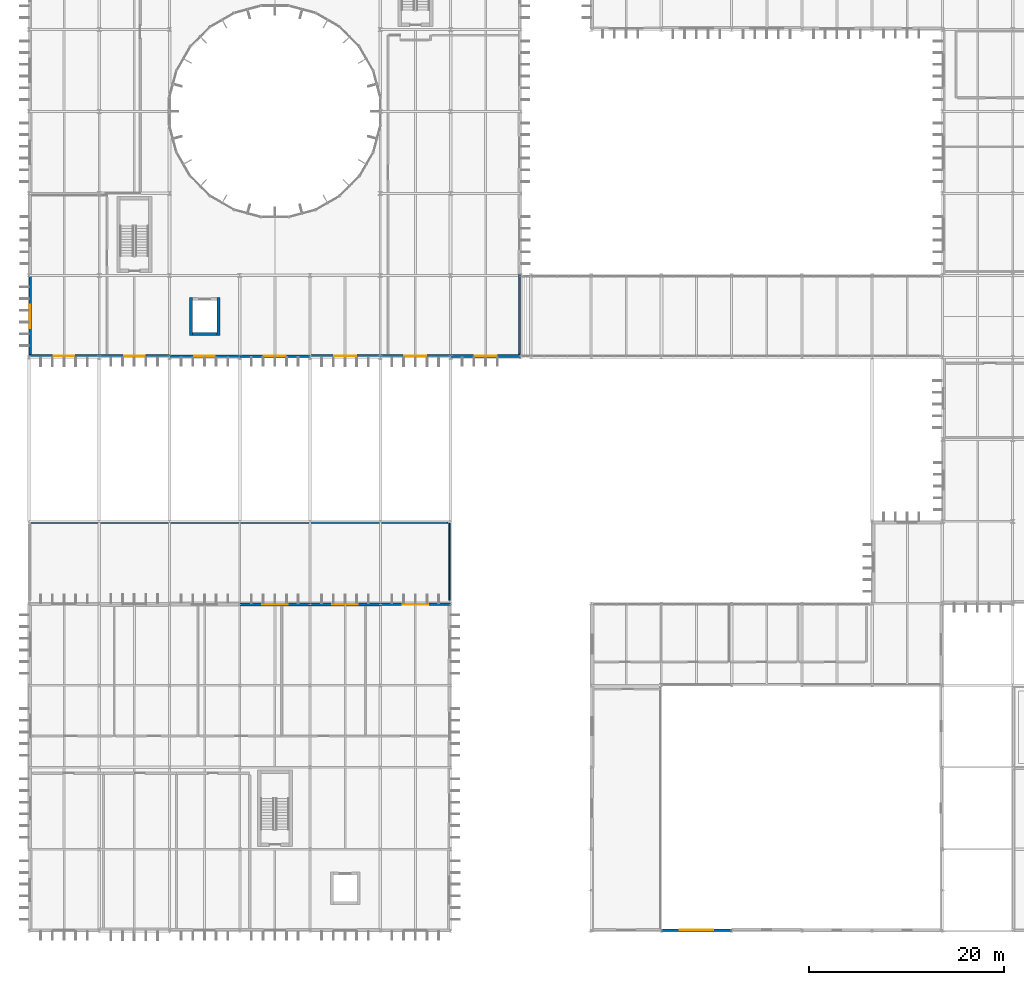
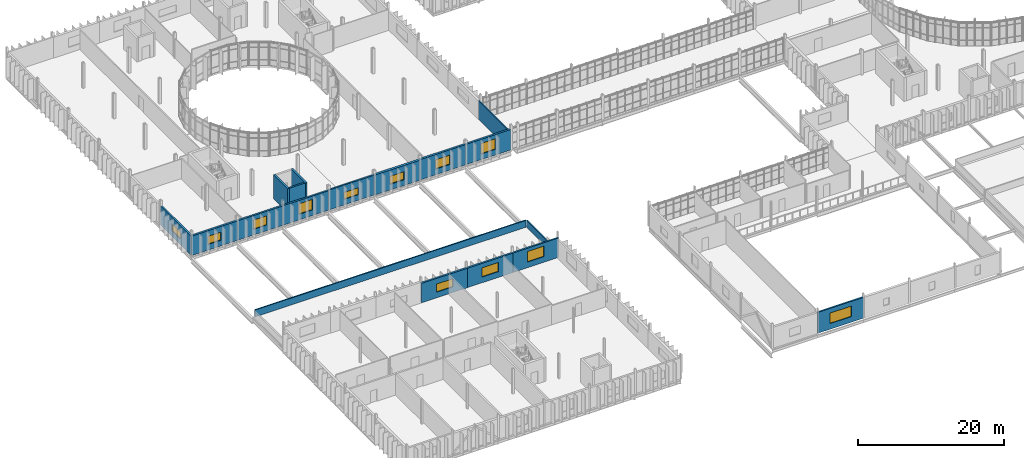
# One storey, part 93 of 119: 18 walls, 12 windows, 12 openings.
"""IFC4 building model written with IfcOpenShell, lengths in metres."""

from ifc_helpers import new_model, si_unit, direction, frame, frame_2d, origin, place, context, subcontext, project, spatial, rectangle, extrude, material, layer, layer_set, type_object, element, fill, save


model = new_model("IFC4")

# Units and contexts
model_context = context("Model", 3, precision=1e-05, world=origin(), true_north=direction((0.0, 1.0)))
body_context = subcontext(model_context, "Body", "Model", "MODEL_VIEW")
ifc_project = project(units=[si_unit("LENGTHUNIT", "METRE"), si_unit("AREAUNIT", "SQUARE_METRE"), si_unit("VOLUMEUNIT", "CUBIC_METRE"), si_unit("PLANEANGLEUNIT", "RADIAN"), si_unit("MASSUNIT", "GRAM", prefix="KILO")], contexts=[model_context])

# Site, building, storey
site_placement = place(None, origin())
site = spatial("IfcSite", under=ifc_project, at=site_placement, CompositionType="ELEMENT")
building_placement = place(site_placement, origin())
building = spatial("IfcBuilding", under=site, at=building_placement, Name="Qelthora Terrace Specialist Clinic", CompositionType="ELEMENT")
storey_placement = place(building_placement, frame((0.0, 0.0, 4.800048828125)))
storey = spatial("IfcBuildingStorey", under=building, at=storey_placement, Name="L01", CompositionType="ELEMENT", Elevation=4.800048828125)

# Walls
ifc_material_1 = material(Name="Concrete C40/50", Category="concrete")
ifc_layer_1 = layer(ifc_material_1, 0.300048828125)
ifc_layer_set_1 = layer_set([ifc_layer_1], Name="Concrete C40/50")
wall_type_1 = type_object("IfcWallType", Name="WAL-CORE-300-C40", PredefinedType="SHEAR", material=ifc_layer_set_1)
for number, where, z_axis, x_axis, name in (
    (1, (16.60009765625, 61.050048828125, 0.0), (0.0, 0.0, 1.0), (0.0, 1.0, 0.0), "Lift SL-01 L01 west shaft wall"),
    (2, (19.39990234375, 61.050048828125, 0.0), (0.0, 0.0, 1.0), (0.0, 1.0, 0.0), "Lift SL-01 L01 east shaft wall"),
):
    element("IfcWall", number, at=place(storey_placement, frame(where, z_axis=z_axis, x_axis=x_axis)), inside=storey, type_object=wall_type_1, Name=name, PredefinedType="SHEAR", context=body_context, shape_type="SweptSolid", body=[
        extrude(rectangle(XDim=3.89990234375, YDim=0.300048828125, at=frame_2d((1.949951171875, 0.0))), origin(), (0.0, 0.0, 1.0), 3.97998046875),
    ])
wall_1_placement = place(storey_placement, frame((16.75, 61.199951171875, 0.0), z_axis=(0.0, 0.0, 1.0), x_axis=(1.0, 0.0, 0.0)))
element("IfcWall", 3, at=wall_1_placement, inside=storey, type_object=wall_type_1, Name="Lift SL-01 L01 south shaft wall", PredefinedType="SHEAR", context=body_context, shape_type="SweptSolid", body=[
    extrude(rectangle(XDim=2.5, YDim=0.300048828125, at=frame_2d((1.25, 0.0))), origin(), (0.0, 0.0, 1.0), 3.97998046875),
])

# Wall, opening, window
ifc_material_2 = material(Name="Precast concrete C40/50", Category="concrete")
ifc_layer_2 = layer(ifc_material_2, 0.260009765625)
ifc_layer_set_2 = layer_set([ifc_layer_2], Name="Precast concrete C40/50")
wall_type_2 = type_object("IfcWallType", Name="WAL-EXT-260-PC40", PredefinedType="SOLIDWALL", material=ifc_layer_set_2)
wall_2_placement = place(storey_placement, frame((21.60009765625, 58.919921875, 0.0), z_axis=(0.0, 0.0, 1.0), x_axis=(1.0, 0.0, 0.0)))
wall_2 = element("IfcWall", 4, at=wall_2_placement, inside=storey, type_object=wall_type_2, Name="L01 external precast wall 124", PredefinedType="SOLIDWALL", context=body_context, shape_type="SweptSolid", body=[
    extrude(rectangle(XDim=7.199951171875, YDim=0.260009765625, at=frame_2d((3.60009765625, 0.0))), origin(), (0.0, 0.0, 1.0), 3.324951171875),
])
opening_1_placement = place(wall_2_placement, frame((2.47509765625, 0.0, 0.949951171875)))
opening_1 = element("IfcOpeningElement", 5, at=opening_1_placement, cuts=wall_2, Name="Opening WN-L01-097", PredefinedType="OPENING", context=body_context, shape_type="SweptSolid", body=[
    extrude(rectangle(XDim=2.25, YDim=1.14990234375, at=frame_2d((1.125, 0.574951171875))), frame((0.0, 0.139892578125, 0.0), z_axis=(0.0, -1.0, 0.0), x_axis=(1.0, 0.0, 0.0)), (0.0, 0.0, 1.0), 0.280029296875),
])
ifc_material_3 = material(Name="Low-E triple-silver insulating glass", Category="glass")
window_type_1 = type_object("IfcWindowType", Name="WIN-2250X1150", PartitioningType="DOUBLE_PANEL_VERTICAL", PredefinedType="WINDOW", material=ifc_material_3)
window_1_placement = place(opening_1_placement, origin())
window_1 = element("IfcWindow", 6, at=window_1_placement, inside=storey, type_object=window_type_1, Name="Clinical window WN-L01-097", OverallHeight=1.14990234375, OverallWidth=2.25, PartitioningType="SINGLE_PANEL", PredefinedType="WINDOW", context=body_context, shape_type="SweptSolid", body=[
    extrude(rectangle(XDim=2.25, YDim=1.14990234375, at=frame_2d((1.125, 0.574951171875))), frame((0.0, 0.030029296875, 0.0), z_axis=(0.0, -1.0, 0.0), x_axis=(1.0, 0.0, 0.0)), (0.0, 0.0, 1.0), 0.06005859375),
])
fill(opening_1, window_1)

wall_3_placement = place(storey_placement, frame((36.0, 33.47998046875, 0.0), z_axis=(0.0, 0.0, 1.0), x_axis=(1.0, 0.0, 0.0)))
wall_3 = element("IfcWall", 7, at=wall_3_placement, inside=storey, type_object=wall_type_2, Name="L01 external precast wall 204", PredefinedType="SOLIDWALL", context=body_context, shape_type="SweptSolid", body=[
    extrude(rectangle(XDim=7.199951171875, YDim=0.260009765625, at=frame_2d((3.60009765625, 0.0))), origin(), (0.0, 0.0, 1.0), 3.244873046875),
])
opening_2_placement = place(wall_3_placement, frame((2.300048828125, 0.0, 0.949951171875)))
opening_2 = element("IfcOpeningElement", 8, at=opening_2_placement, cuts=wall_3, Name="Opening WN-L01-172", PredefinedType="OPENING", context=body_context, shape_type="SweptSolid", body=[
    extrude(rectangle(XDim=2.60009765625, YDim=1.75, at=frame_2d((1.300048828125, 0.875))), frame((0.0, 0.139892578125, 0.0), z_axis=(0.0, -1.0, 0.0), x_axis=(1.0, 0.0, 0.0)), (0.0, 0.0, 1.0), 0.280029296875),
])
window_type_2 = type_object("IfcWindowType", Name="WIN-2600X1750", PartitioningType="DOUBLE_PANEL_VERTICAL", PredefinedType="WINDOW", material=ifc_material_3)
window_2_placement = place(opening_2_placement, origin())
window_2 = element("IfcWindow", 9, at=window_2_placement, inside=storey, type_object=window_type_2, Name="Clinical window WN-L01-172", OverallHeight=1.75, OverallWidth=2.60009765625, PartitioningType="SINGLE_PANEL", PredefinedType="WINDOW", context=body_context, shape_type="SweptSolid", body=[
    extrude(rectangle(XDim=2.60009765625, YDim=1.75, at=frame_2d((1.300048828125, 0.875))), frame((0.0, 0.030029296875, 0.0), z_axis=(0.0, -1.0, 0.0), x_axis=(1.0, 0.0, 0.0)), (0.0, 0.0, 1.0), 0.06005859375),
])
fill(opening_2, window_2)

wall_4_placement = place(storey_placement, frame((64.800048828125, 0.1201171875, 0.0), z_axis=(0.0, 0.0, 1.0), x_axis=(1.0, 0.0, 0.0)))
wall_4 = element("IfcWall", 10, at=wall_4_placement, inside=storey, type_object=wall_type_2, Name="L01 external precast wall 424", PredefinedType="SOLIDWALL", context=body_context, shape_type="SweptSolid", body=[
    extrude(rectangle(XDim=7.199951171875, YDim=0.260009765625, at=frame_2d((3.60009765625, 0.0))), origin(), (0.0, 0.0, 1.0), 3.48193359375),
])
opening_3_placement = place(wall_4_placement, frame((1.89990234375, 0.0, 0.949951171875)))
opening_3 = element("IfcOpeningElement", 11, at=opening_3_placement, cuts=wall_4, Name="Opening WN-L01-380", PredefinedType="OPENING", context=body_context, shape_type="SweptSolid", body=[
    extrude(rectangle(XDim=3.39990234375, YDim=1.75, at=frame_2d((1.699951171875, 0.875))), frame((0.0, 0.139892578125, 0.0), z_axis=(0.0, -1.0, 0.0), x_axis=(1.0, 0.0, 0.0)), (0.0, 0.0, 1.0), 0.280029296875),
])
window_type_3 = type_object("IfcWindowType", Name="WIN-3400X1750", PartitioningType="DOUBLE_PANEL_VERTICAL", PredefinedType="WINDOW", material=ifc_material_3)
window_3_placement = place(opening_3_placement, origin())
window_3 = element("IfcWindow", 12, at=window_3_placement, inside=storey, type_object=window_type_3, Name="Clinical window WN-L01-380", OverallHeight=1.75, OverallWidth=3.39990234375, PartitioningType="SINGLE_PANEL", PredefinedType="WINDOW", context=body_context, shape_type="SweptSolid", body=[
    extrude(rectangle(XDim=3.39990234375, YDim=1.75, at=frame_2d((1.699951171875, 0.875))), frame((0.0, 0.030029296875, 0.0), z_axis=(0.0, -1.0, 0.0), x_axis=(1.0, 0.0, 0.0)), (0.0, 0.0, 1.0), 0.06005859375),
])
fill(opening_3, window_3)

ifc_layer_3 = layer(ifc_material_2, 0.280029296875)
ifc_layer_set_3 = layer_set([ifc_layer_3], Name="Precast concrete C40/50")
wall_type_3 = type_object("IfcWallType", Name="WAL-EXT-280-PC40", PredefinedType="SOLIDWALL", material=ifc_layer_set_3)
wall_5_placement = place(storey_placement, frame((14.39990234375, 58.919921875, 0.0), z_axis=(0.0, 0.0, 1.0), x_axis=(1.0, 0.0, 0.0)))
wall_5 = element("IfcWall", 13, at=wall_5_placement, inside=storey, type_object=wall_type_3, Name="L01 external precast wall 123", PredefinedType="SOLIDWALL", context=body_context, shape_type="SweptSolid", body=[
    extrude(rectangle(XDim=7.2001953125, YDim=0.280029296875, at=frame_2d((3.60009765625, 0.0))), origin(), (0.0, 0.0, 1.0), 3.25390625),
])
opening_4_placement = place(wall_5_placement, frame((2.550048828125, 0.0, 0.949951171875)))
opening_4 = element("IfcOpeningElement", 14, at=opening_4_placement, cuts=wall_5, Name="Opening WN-L01-096", PredefinedType="OPENING", context=body_context, shape_type="SweptSolid", body=[
    extrude(rectangle(XDim=2.10009765625, YDim=1.75, at=frame_2d((1.050048828125, 0.875))), frame((0.0, 0.14990234375, 0.0), z_axis=(0.0, -1.0, 0.0), x_axis=(1.0, 0.0, 0.0)), (0.0, 0.0, 1.0), 0.300048828125),
])
window_type_4 = type_object("IfcWindowType", Name="WIN-2100X1750", PartitioningType="DOUBLE_PANEL_VERTICAL", PredefinedType="WINDOW", material=ifc_material_3)
window_4_placement = place(opening_4_placement, origin())
window_4 = element("IfcWindow", 15, at=window_4_placement, inside=storey, type_object=window_type_4, Name="Clinical window WN-L01-096", OverallHeight=1.75, OverallWidth=2.10009765625, PartitioningType="SINGLE_PANEL", PredefinedType="WINDOW", context=body_context, shape_type="SweptSolid", body=[
    extrude(rectangle(XDim=2.10009765625, YDim=1.75, at=frame_2d((1.050048828125, 0.875))), frame((0.0, 0.030029296875, 0.0), z_axis=(0.0, -1.0, 0.0), x_axis=(1.0, 0.0, 0.0)), (0.0, 0.0, 1.0), 0.06005859375),
])
fill(opening_4, window_4)

wall_6_placement = place(storey_placement, frame((0.1201171875, 58.800048828125, 0.0), z_axis=(0.0, 0.0, 1.0), x_axis=(0.0, 1.0, 0.0)))
wall_6 = element("IfcWall", 16, at=wall_6_placement, inside=storey, type_object=wall_type_3, Name="L01 external precast wall 128", PredefinedType="SOLIDWALL", context=body_context, shape_type="SweptSolid", body=[
    extrude(rectangle(XDim=8.39990234375, YDim=0.280029296875, at=frame_2d((4.199951171875, 0.0))), origin(), (0.0, 0.0, 1.0), 3.171875),
])
opening_5_placement = place(wall_6_placement, frame((3.0, 0.0, 0.949951171875)))
opening_5 = element("IfcOpeningElement", 17, at=opening_5_placement, cuts=wall_6, Name="Opening WN-L01-101", PredefinedType="OPENING", context=body_context, shape_type="SweptSolid", body=[
    extrude(rectangle(XDim=2.39990234375, YDim=1.14990234375, at=frame_2d((1.199951171875, 0.574951171875))), frame((0.0, 0.14990234375, 0.0), z_axis=(0.0, -1.0, 0.0), x_axis=(1.0, 0.0, 0.0)), (0.0, 0.0, 1.0), 0.300048828125),
])
window_type_5 = type_object("IfcWindowType", Name="WIN-2400X1150", PartitioningType="DOUBLE_PANEL_VERTICAL", PredefinedType="WINDOW", material=ifc_material_3)
window_5_placement = place(opening_5_placement, origin())
window_5 = element("IfcWindow", 18, at=window_5_placement, inside=storey, type_object=window_type_5, Name="Clinical window WN-L01-101", OverallHeight=1.14990234375, OverallWidth=2.39990234375, PartitioningType="SINGLE_PANEL", PredefinedType="WINDOW", context=body_context, shape_type="SweptSolid", body=[
    extrude(rectangle(XDim=2.39990234375, YDim=1.14990234375, at=frame_2d((1.199951171875, 0.574951171875))), frame((0.0, 0.030029296875, 0.0), z_axis=(0.0, -1.0, 0.0), x_axis=(1.0, 0.0, 0.0)), (0.0, 0.0, 1.0), 0.06005859375),
])
fill(opening_5, window_5)

wall_7_placement = place(storey_placement, frame((28.800048828125, 33.47998046875, 0.0), z_axis=(0.0, 0.0, 1.0), x_axis=(1.0, 0.0, 0.0)))
wall_7 = element("IfcWall", 19, at=wall_7_placement, inside=storey, type_object=wall_type_3, Name="L01 external precast wall 203", PredefinedType="SOLIDWALL", context=body_context, shape_type="SweptSolid", body=[
    extrude(rectangle(XDim=7.199951171875, YDim=0.280029296875, at=frame_2d((3.60009765625, 0.0))), origin(), (0.0, 0.0, 1.0), 3.244873046875),
])
opening_6_placement = place(wall_7_placement, frame((2.300048828125, 0.0, 0.949951171875)))
opening_6 = element("IfcOpeningElement", 20, at=opening_6_placement, cuts=wall_7, Name="Opening WN-L01-171", PredefinedType="OPENING", context=body_context, shape_type="SweptSolid", body=[
    extrude(rectangle(XDim=2.60009765625, YDim=1.550048828125, at=frame_2d((1.300048828125, 0.77490234375))), frame((0.0, 0.14990234375, 0.0), z_axis=(0.0, -1.0, 0.0), x_axis=(1.0, 0.0, 0.0)), (0.0, 0.0, 1.0), 0.300048828125),
])
window_type_6 = type_object("IfcWindowType", Name="WIN-2600X1550", PartitioningType="DOUBLE_PANEL_VERTICAL", PredefinedType="WINDOW", material=ifc_material_3)
window_6_placement = place(opening_6_placement, origin())
window_6 = element("IfcWindow", 21, at=window_6_placement, inside=storey, type_object=window_type_6, Name="Clinical window WN-L01-171", OverallHeight=1.550048828125, OverallWidth=2.60009765625, PartitioningType="SINGLE_PANEL", PredefinedType="WINDOW", context=body_context, shape_type="SweptSolid", body=[
    extrude(rectangle(XDim=2.60009765625, YDim=1.550048828125, at=frame_2d((1.300048828125, 0.77490234375))), frame((0.0, 0.030029296875, 0.0), z_axis=(0.0, -1.0, 0.0), x_axis=(1.0, 0.0, 0.0)), (0.0, 0.0, 1.0), 0.06005859375),
])
fill(opening_6, window_6)

ifc_layer_4 = layer(ifc_material_2, 0.300048828125)
ifc_layer_set_4 = layer_set([ifc_layer_4], Name="Precast concrete C40/50")
wall_type_4 = type_object("IfcWallType", Name="WAL-EXT-300-PC40", PredefinedType="SOLIDWALL", material=ifc_layer_set_4)
wall_8_placement = place(storey_placement, frame((7.199951171875, 58.919921875, 0.0), z_axis=(0.0, 0.0, 1.0), x_axis=(1.0, 0.0, 0.0)))
wall_8 = element("IfcWall", 22, at=wall_8_placement, inside=storey, type_object=wall_type_4, Name="L01 external precast wall 122", PredefinedType="SOLIDWALL", context=body_context, shape_type="SweptSolid", body=[
    extrude(rectangle(XDim=7.199951171875, YDim=0.300048828125, at=frame_2d((3.60009765625, 0.0))), origin(), (0.0, 0.0, 1.0), 3.25390625),
])
opening_7_placement = place(wall_8_placement, frame((2.550048828125, 0.0, 0.949951171875)))
opening_7 = element("IfcOpeningElement", 23, at=opening_7_placement, cuts=wall_8, Name="Opening WN-L01-095", PredefinedType="OPENING", context=body_context, shape_type="SweptSolid", body=[
    extrude(rectangle(XDim=2.10009765625, YDim=1.550048828125, at=frame_2d((1.050048828125, 0.77490234375))), frame((0.0, 0.159912109375, 0.0), z_axis=(0.0, -1.0, 0.0), x_axis=(1.0, 0.0, 0.0)), (0.0, 0.0, 1.0), 0.320068359375),
])
window_type_7 = type_object("IfcWindowType", Name="WIN-2100X1550", PartitioningType="DOUBLE_PANEL_VERTICAL", PredefinedType="WINDOW", material=ifc_material_3)
window_7_placement = place(opening_7_placement, origin())
window_7 = element("IfcWindow", 24, at=window_7_placement, inside=storey, type_object=window_type_7, Name="Clinical window WN-L01-095", OverallHeight=1.550048828125, OverallWidth=2.10009765625, PartitioningType="SINGLE_PANEL", PredefinedType="WINDOW", context=body_context, shape_type="SweptSolid", body=[
    extrude(rectangle(XDim=2.10009765625, YDim=1.550048828125, at=frame_2d((1.050048828125, 0.77490234375))), frame((0.0, 0.030029296875, 0.0), z_axis=(0.0, -1.0, 0.0), x_axis=(1.0, 0.0, 0.0)), (0.0, 0.0, 1.0), 0.06005859375),
])
fill(opening_7, window_7)

wall_9_placement = place(storey_placement, frame((43.199951171875, 58.919921875, 0.0), z_axis=(0.0, 0.0, 1.0), x_axis=(1.0, 0.0, 0.0)))
wall_9 = element("IfcWall", 25, at=wall_9_placement, inside=storey, type_object=wall_type_4, Name="L01 external precast wall 127", PredefinedType="SOLIDWALL", context=body_context, shape_type="SweptSolid", body=[
    extrude(rectangle(XDim=7.199951171875, YDim=0.300048828125, at=frame_2d((3.60009765625, 0.0))), origin(), (0.0, 0.0, 1.0), 3.405029296875),
])
opening_8_placement = place(wall_9_placement, frame((2.47509765625, 0.0, 0.949951171875)))
opening_8 = element("IfcOpeningElement", 26, at=opening_8_placement, cuts=wall_9, Name="Opening WN-L01-100", PredefinedType="OPENING", context=body_context, shape_type="SweptSolid", body=[
    extrude(rectangle(XDim=2.25, YDim=1.75, at=frame_2d((1.125, 0.875))), frame((0.0, 0.159912109375, 0.0), z_axis=(0.0, -1.0, 0.0), x_axis=(1.0, 0.0, 0.0)), (0.0, 0.0, 1.0), 0.320068359375),
])
window_type_8 = type_object("IfcWindowType", Name="WIN-2250X1750", PartitioningType="DOUBLE_PANEL_VERTICAL", PredefinedType="WINDOW", material=ifc_material_3)
window_8_placement = place(opening_8_placement, origin())
window_8 = element("IfcWindow", 27, at=window_8_placement, inside=storey, type_object=window_type_8, Name="Clinical window WN-L01-100", OverallHeight=1.75, OverallWidth=2.25, PartitioningType="SINGLE_PANEL", PredefinedType="WINDOW", context=body_context, shape_type="SweptSolid", body=[
    extrude(rectangle(XDim=2.25, YDim=1.75, at=frame_2d((1.125, 0.875))), frame((0.0, 0.030029296875, 0.0), z_axis=(0.0, -1.0, 0.0), x_axis=(1.0, 0.0, 0.0)), (0.0, 0.0, 1.0), 0.06005859375),
])
fill(opening_8, window_8)

wall_10_placement = place(storey_placement, frame((21.60009765625, 33.47998046875, 0.0), z_axis=(0.0, 0.0, 1.0), x_axis=(1.0, 0.0, 0.0)))
wall_10 = element("IfcWall", 28, at=wall_10_placement, inside=storey, type_object=wall_type_4, Name="L01 external precast wall 202", PredefinedType="SOLIDWALL", context=body_context, shape_type="SweptSolid", body=[
    extrude(rectangle(XDim=7.199951171875, YDim=0.300048828125, at=frame_2d((3.60009765625, 0.0))), origin(), (0.0, 0.0, 1.0), 3.244873046875),
])
opening_9_placement = place(wall_10_placement, frame((2.300048828125, 0.0, 0.949951171875)))
opening_9 = element("IfcOpeningElement", 29, at=opening_9_placement, cuts=wall_10, Name="Opening WN-L01-170", PredefinedType="OPENING", context=body_context, shape_type="SweptSolid", body=[
    extrude(rectangle(XDim=2.60009765625, YDim=1.35009765625, at=frame_2d((1.300048828125, 0.675048828125))), frame((0.0, 0.159912109375, 0.0), z_axis=(0.0, -1.0, 0.0), x_axis=(1.0, 0.0, 0.0)), (0.0, 0.0, 1.0), 0.320068359375),
])
window_type_9 = type_object("IfcWindowType", Name="WIN-2600X1350", PartitioningType="DOUBLE_PANEL_VERTICAL", PredefinedType="WINDOW", material=ifc_material_3)
window_9_placement = place(opening_9_placement, origin())
window_9 = element("IfcWindow", 30, at=window_9_placement, inside=storey, type_object=window_type_9, Name="Clinical window WN-L01-170", OverallHeight=1.35009765625, OverallWidth=2.60009765625, PartitioningType="SINGLE_PANEL", PredefinedType="WINDOW", context=body_context, shape_type="SweptSolid", body=[
    extrude(rectangle(XDim=2.60009765625, YDim=1.35009765625, at=frame_2d((1.300048828125, 0.675048828125))), frame((0.0, 0.030029296875, 0.0), z_axis=(0.0, -1.0, 0.0), x_axis=(1.0, 0.0, 0.0)), (0.0, 0.0, 1.0), 0.06005859375),
])
fill(opening_9, window_9)

ifc_layer_5 = layer(ifc_material_2, 0.320068359375)
ifc_layer_set_5 = layer_set([ifc_layer_5], Name="Precast concrete C40/50")
wall_type_5 = type_object("IfcWallType", Name="WAL-EXT-320-PC40", PredefinedType="SOLIDWALL", material=ifc_layer_set_5)
wall_11_placement = place(storey_placement, frame((0.0, 58.919921875, 0.0), z_axis=(0.0, 0.0, 1.0), x_axis=(1.0, 0.0, 0.0)))
wall_11 = element("IfcWall", 31, at=wall_11_placement, inside=storey, type_object=wall_type_5, Name="L01 external precast wall 121", PredefinedType="SOLIDWALL", context=body_context, shape_type="SweptSolid", body=[
    extrude(rectangle(XDim=7.199951171875, YDim=0.320068359375, at=frame_2d((3.60009765625, 0.0))), origin(), (0.0, 0.0, 1.0), 3.25390625),
])
opening_10_placement = place(wall_11_placement, frame((2.550048828125, 0.0, 0.949951171875)))
opening_10 = element("IfcOpeningElement", 32, at=opening_10_placement, cuts=wall_11, Name="Opening WN-L01-094", PredefinedType="OPENING", context=body_context, shape_type="SweptSolid", body=[
    extrude(rectangle(XDim=2.10009765625, YDim=1.35009765625, at=frame_2d((1.050048828125, 0.675048828125))), frame((0.0, 0.169921875, 0.0), z_axis=(0.0, -1.0, 0.0), x_axis=(1.0, 0.0, 0.0)), (0.0, 0.0, 1.0), 0.340087890625),
])
window_type_10 = type_object("IfcWindowType", Name="WIN-2100X1350", PartitioningType="DOUBLE_PANEL_VERTICAL", PredefinedType="WINDOW", material=ifc_material_3)
window_10_placement = place(opening_10_placement, origin())
window_10 = element("IfcWindow", 33, at=window_10_placement, inside=storey, type_object=window_type_10, Name="Clinical window WN-L01-094", OverallHeight=1.35009765625, OverallWidth=2.10009765625, PartitioningType="SINGLE_PANEL", PredefinedType="WINDOW", context=body_context, shape_type="SweptSolid", body=[
    extrude(rectangle(XDim=2.10009765625, YDim=1.35009765625, at=frame_2d((1.050048828125, 0.675048828125))), frame((0.0, 0.030029296875, 0.0), z_axis=(0.0, -1.0, 0.0), x_axis=(1.0, 0.0, 0.0)), (0.0, 0.0, 1.0), 0.06005859375),
])
fill(opening_10, window_10)

wall_12_placement = place(storey_placement, frame((36.0, 58.919921875, 0.0), z_axis=(0.0, 0.0, 1.0), x_axis=(1.0, 0.0, 0.0)))
wall_12 = element("IfcWall", 34, at=wall_12_placement, inside=storey, type_object=wall_type_5, Name="L01 external precast wall 126", PredefinedType="SOLIDWALL", context=body_context, shape_type="SweptSolid", body=[
    extrude(rectangle(XDim=7.199951171875, YDim=0.320068359375, at=frame_2d((3.60009765625, 0.0))), origin(), (0.0, 0.0, 1.0), 3.39794921875),
])
opening_11_placement = place(wall_12_placement, frame((2.47509765625, 0.0, 0.949951171875)))
opening_11 = element("IfcOpeningElement", 35, at=opening_11_placement, cuts=wall_12, Name="Opening WN-L01-099", PredefinedType="OPENING", context=body_context, shape_type="SweptSolid", body=[
    extrude(rectangle(XDim=2.25, YDim=1.550048828125, at=frame_2d((1.125, 0.77490234375))), frame((0.0, 0.169921875, 0.0), z_axis=(0.0, -1.0, 0.0), x_axis=(1.0, 0.0, 0.0)), (0.0, 0.0, 1.0), 0.340087890625),
])
window_type_11 = type_object("IfcWindowType", Name="WIN-2250X1550", PartitioningType="DOUBLE_PANEL_VERTICAL", PredefinedType="WINDOW", material=ifc_material_3)
window_11_placement = place(opening_11_placement, origin())
window_11 = element("IfcWindow", 36, at=window_11_placement, inside=storey, type_object=window_type_11, Name="Clinical window WN-L01-099", OverallHeight=1.550048828125, OverallWidth=2.25, PartitioningType="SINGLE_PANEL", PredefinedType="WINDOW", context=body_context, shape_type="SweptSolid", body=[
    extrude(rectangle(XDim=2.25, YDim=1.550048828125, at=frame_2d((1.125, 0.77490234375))), frame((0.0, 0.030029296875, 0.0), z_axis=(0.0, -1.0, 0.0), x_axis=(1.0, 0.0, 0.0)), (0.0, 0.0, 1.0), 0.06005859375),
])
fill(opening_11, window_11)

ifc_layer_6 = layer(ifc_material_2, 0.3798828125)
ifc_layer_set_6 = layer_set([ifc_layer_6], Name="Precast concrete C40/50")
wall_type_6 = type_object("IfcWallType", Name="WAL-EXT-380-PC40", PredefinedType="SOLIDWALL", material=ifc_layer_set_6)
wall_13_placement = place(storey_placement, frame((28.800048828125, 58.919921875, 0.0), z_axis=(0.0, 0.0, 1.0), x_axis=(1.0, 0.0, 0.0)))
wall_13 = element("IfcWall", 37, at=wall_13_placement, inside=storey, type_object=wall_type_6, Name="L01 external precast wall 125", PredefinedType="SOLIDWALL", context=body_context, shape_type="SweptSolid", body=[
    extrude(rectangle(XDim=7.199951171875, YDim=0.3798828125, at=frame_2d((3.60009765625, 0.0))), origin(), (0.0, 0.0, 1.0), 3.329833984375),
])
opening_12_placement = place(wall_13_placement, frame((2.47509765625, 0.0, 0.949951171875)))
opening_12 = element("IfcOpeningElement", 38, at=opening_12_placement, cuts=wall_13, Name="Opening WN-L01-098", PredefinedType="OPENING", context=body_context, shape_type="SweptSolid", body=[
    extrude(rectangle(XDim=2.25, YDim=1.35009765625, at=frame_2d((1.125, 0.675048828125))), frame((0.0, 0.199951171875, 0.0), z_axis=(0.0, -1.0, 0.0), x_axis=(1.0, 0.0, 0.0)), (0.0, 0.0, 1.0), 0.39990234375),
])
window_type_12 = type_object("IfcWindowType", Name="WIN-2250X1350", PartitioningType="DOUBLE_PANEL_VERTICAL", PredefinedType="WINDOW", material=ifc_material_3)
window_12_placement = place(opening_12_placement, origin())
window_12 = element("IfcWindow", 39, at=window_12_placement, inside=storey, type_object=window_type_12, Name="Clinical window WN-L01-098", OverallHeight=1.35009765625, OverallWidth=2.25, PartitioningType="SINGLE_PANEL", PredefinedType="WINDOW", context=body_context, shape_type="SweptSolid", body=[
    extrude(rectangle(XDim=2.25, YDim=1.35009765625, at=frame_2d((1.125, 0.675048828125))), frame((0.0, 0.030029296875, 0.0), z_axis=(0.0, -1.0, 0.0), x_axis=(1.0, 0.0, 0.0)), (0.0, 0.0, 1.0), 0.06005859375),
])
fill(opening_12, window_12)

# Walls
ifc_material_4 = material(Name="Gypsum fire-rated wallboard", Category="gypsum")
ifc_layer_7 = layer(ifc_material_4, 0.179931640625)
ifc_layer_set_7 = layer_set([ifc_layer_7], Name="Gypsum fire-rated wallboard")
wall_type_7 = type_object("IfcWallType", Name="WAL-INT-CLN-180", PredefinedType="PARTITIONING", material=ifc_layer_set_7)
wall_14_placement = place(storey_placement, frame((50.25, 67.340087890625, 0.0), z_axis=(0.0, 0.0, 1.0), x_axis=(0.0, -1.0, 0.0)))
element("IfcWall", 40, at=wall_14_placement, inside=storey, type_object=wall_type_7, Name="Interior clinical partition IWAL-L01-0226", PredefinedType="PARTITIONING", context=body_context, shape_type="SweptSolid", body=[
    extrude(rectangle(XDim=8.2001953125, YDim=0.179931640625, at=frame_2d((4.10009765625, 0.0))), origin(), (0.0, 0.0, 1.0), 3.093994140625),
])
ifc_layer_8 = layer(ifc_material_2, 0.18994140625)
ifc_layer_set_8 = layer_set([ifc_layer_8], Name="Precast concrete C40/50")
wall_type_8 = type_object("IfcWallType", Name="WAL-PAR-190-PC40", PredefinedType="PARAPET", material=ifc_layer_set_8)
wall_15_placement = place(storey_placement, frame((43.090087890625, 33.91943359375, 0.0), z_axis=(0.0, 0.0, 1.0), x_axis=(0.0, 1.0, 0.0)))
element("IfcWall", 41, at=wall_15_placement, inside=storey, type_object=wall_type_8, Name="Roof perimeter parapet ROOF-V2-L01N-1", PredefinedType="PARAPET", context=body_context, shape_type="SweptSolid", body=[
    extrude(rectangle(XDim=7.860595703125, YDim=0.18994140625, at=frame_2d((3.93017578125, 0.0))), origin(), (0.0, 0.0, 1.0), 1.14990234375),
])
wall_16_placement = place(storey_placement, frame((42.923095703125, 41.889892578125, 0.0), z_axis=(0.0, 0.0, 1.0), x_axis=(-1.0, 0.0, 0.0)))
element("IfcWall", 42, at=wall_16_placement, inside=storey, type_object=wall_type_8, Name="Roof perimeter parapet ROOF-V2-L01N-2", PredefinedType="PARAPET", context=body_context, shape_type="SweptSolid", body=[
    extrude(rectangle(XDim=42.703125, YDim=0.18994140625, at=frame_2d((21.3515625, 0.0))), origin(), (0.0, 0.0, 1.0), 1.14990234375),
])

save(model, "model.ifc")
